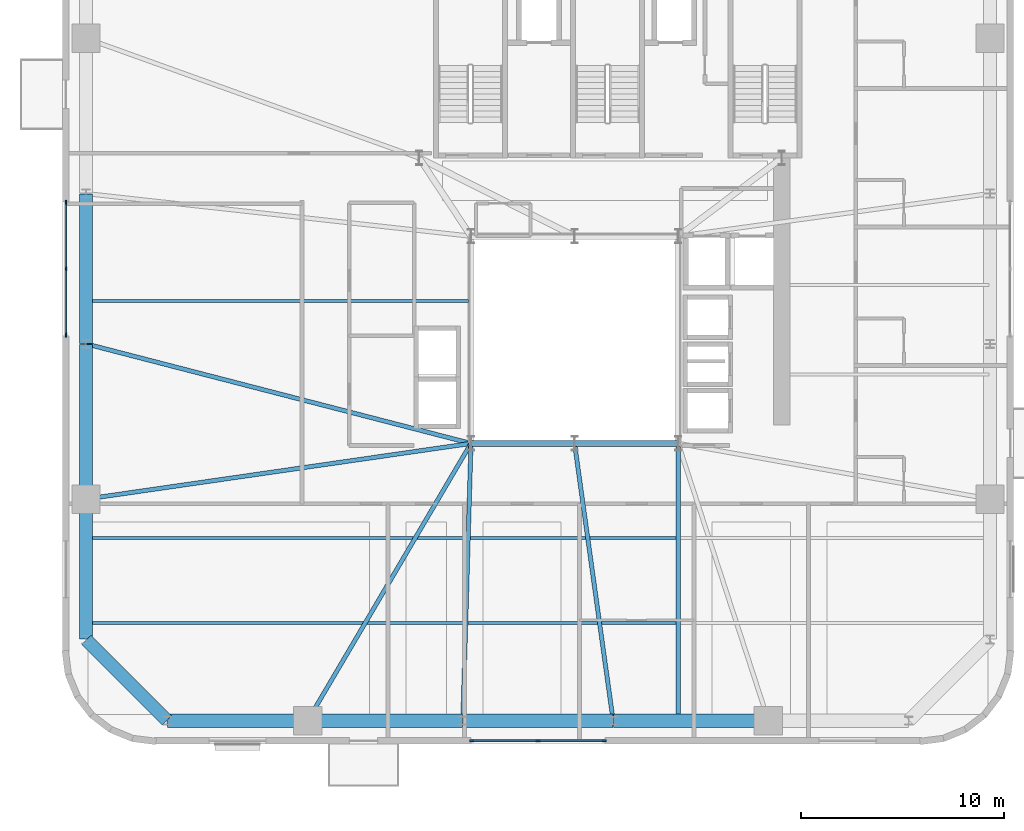
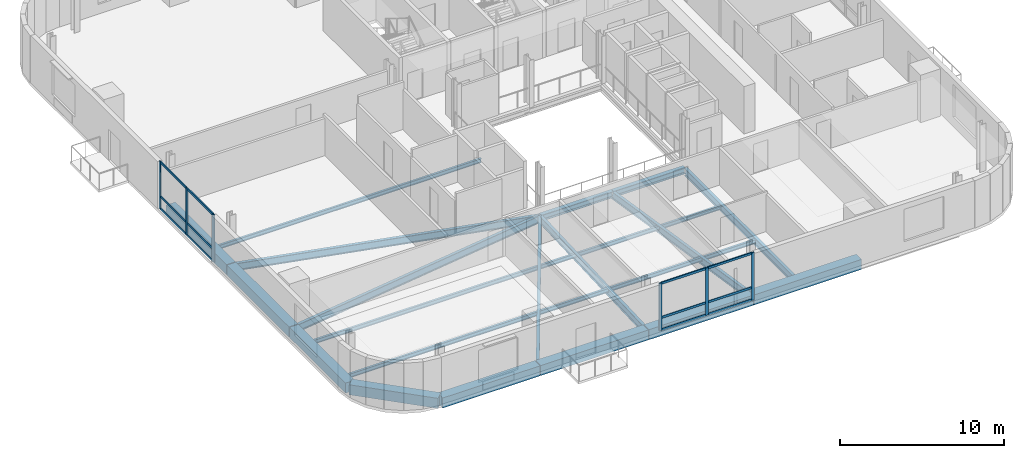
# One storey, part 3 of 16: 19 beams, 18 members, 2 elements without a shape of their own.
"""IFC4 building model written with IfcOpenShell, lengths in metres."""

from ifc_helpers import new_model, si_unit, direction, frame, origin, origin_2d, place, context, subcontext, project, spatial, rectangle, i_section, extrude, source, transform, mapped, material, material_profile, profile_set, type_object, element, aggregate, save


model = new_model("IFC4")

# Units and contexts
model_context = context("Model", 3, precision=1e-05, world=origin(), true_north=direction((0.0, 1.0)))
body_context = subcontext(model_context, "Body", "Model", "MODEL_VIEW")
ifc_project = project(units=[si_unit("LENGTHUNIT", "METRE"), si_unit("AREAUNIT", "SQUARE_METRE"), si_unit("VOLUMEUNIT", "CUBIC_METRE"), si_unit("PLANEANGLEUNIT", "RADIAN"), si_unit("MASSUNIT", "GRAM", prefix="KILO")], contexts=[model_context])

# Site, building, storey
site_placement = place(None, origin())
site = spatial("IfcSite", under=ifc_project, at=site_placement, CompositionType="ELEMENT")
building_placement = place(site_placement, origin())
building = spatial("IfcBuilding", under=site, at=building_placement, Name="Vardaveli Station Tower", CompositionType="ELEMENT")
storey_placement = place(building_placement, frame((0.0, 0.0, 226.050048828125)))
storey = spatial("IfcBuildingStorey", under=building, at=storey_placement, Name="L58", CompositionType="ELEMENT", Elevation=226.050048828125)

# Beams
ifc_material_1 = material(Name="Structural steel S355J2", Category="steel")
ifc_material_profile_1 = material_profile(ifc_material_1, i_section(OverallWidth=0.300048828125, OverallDepth=0.449951171875, WebThickness=0.013916015625, FlangeThickness=0.02587890625, FilletRadius=0.027099609375, at=origin_2d()), Name="HEB 450")
ifc_profile_set_1 = profile_set([ifc_material_profile_1], Name="Structural steel S355J2")
beam_type_1 = type_object("IfcBeamType", Name="BM-HEB450", PredefinedType="BEAM", material=ifc_profile_set_1)
shared_shape_1 = source(origin(), body_context, "Body", "SweptSolid", [
    extrude(i_section(OverallWidth=0.300048828125, OverallDepth=0.449951171875, WebThickness=0.013916015625, FlangeThickness=0.02587890625, FilletRadius=0.027099609375, at=origin_2d()), origin(), (0.0, 0.0, 1.0), 5.06005859375),
])
beam_1_placement = place(storey_placement, frame((31.219970703125, 16.60009765625, -0.445068359375), z_axis=(1.0, 0.0, 0.0), x_axis=(0.0, 1.0, 0.0)))
element("IfcBeam", 1, at=beam_1_placement, inside=storey, type_object=beam_type_1, Name="ABM-L58-01", PredefinedType="BEAM", context=body_context, shape_type="MappedRepresentation", body=[
    mapped(shared_shape_1, transform((0.0, 0.0, 0.0), scale=1.0)),
])
shared_shape_2 = source(origin(), body_context, "Body", "SweptSolid", [
    extrude(i_section(OverallWidth=0.300048828125, OverallDepth=0.449951171875, WebThickness=0.013916015625, FlangeThickness=0.02587890625, FilletRadius=0.027099609375, at=origin_2d()), origin(), (0.0, 0.0, 1.0), 5.059814453125),
])
beam_2_placement = place(storey_placement, frame((36.320068359375, 16.60009765625, -0.445068359375), z_axis=(1.0, 0.0, 0.0), x_axis=(0.0, 1.0, 0.0)))
element("IfcBeam", 2, at=beam_2_placement, inside=storey, type_object=beam_type_1, Name="ABM-L58-02", PredefinedType="BEAM", context=body_context, shape_type="MappedRepresentation", body=[
    mapped(shared_shape_2, transform((0.0, 0.0, 0.0), scale=1.0)),
])
ifc_material_2 = material(Name="Precast concrete C45/55", Category="concrete")
ifc_material_profile_2 = material_profile(ifc_material_2, rectangle(XDim=0.64990234375, YDim=0.75, at=origin_2d()), Name="LPB 650x750")
ifc_profile_set_2 = profile_set([ifc_material_profile_2], Name="Precast concrete C45/55")
beam_type_2 = type_object("IfcBeamType", Name="BM-LPB-750", PredefinedType="BEAM", material=ifc_profile_set_2)
shared_shape_3 = source(origin(), body_context, "Body", "SweptSolid", [
    extrude(rectangle(XDim=0.64990234375, YDim=0.75, at=origin_2d()), origin(), (0.0, 0.0, 1.0), 7.60009765625),
])
for number, where, z_axis, x_axis, name in (
    (3, (23.179931640625, 2.949951171875, -0.594970703125), (1.0, 0.0, 0.0), (0.0, 1.0, 0.0), "RBM-L58-01"),
    (4, (38.219970703125, 2.949951171875, -0.594970703125), (1.0, 0.0, 0.0), (0.0, 1.0, 0.0), "RBM-L58-03"),
    (5, (12.25, 21.47998046875, -0.594970703125), (0.0, -1.0, 0.0), (1.0, 0.0, 0.0), "RBM-L58-21"),
):
    element("IfcBeam", number, at=place(storey_placement, frame(where, z_axis=z_axis, x_axis=x_axis)), inside=storey, type_object=beam_type_2, Name=name, PredefinedType="BEAM", context=body_context, shape_type="MappedRepresentation", body=[
        mapped(shared_shape_3, transform((0.0, 0.0, 0.0), scale=1.0)),
    ])
shared_shape_4 = source(origin(), body_context, "Body", "SweptSolid", [
    extrude(rectangle(XDim=0.64990234375, YDim=0.75, at=origin_2d()), origin(), (0.0, 0.0, 1.0), 7.35986328125),
])
for number, where, z_axis, x_axis, name in (
    (6, (30.820068359375, 2.949951171875, -0.594970703125), (1.0, 0.0, 0.0), (0.0, 1.0, 0.0), "RBM-L58-02"),
    (7, (12.25, 28.8798828125, -0.594970703125), (0.0, -1.0, 0.0), (1.0, 0.0, 0.0), "RBM-L58-20"),
):
    element("IfcBeam", number, at=place(storey_placement, frame(where, z_axis=z_axis, x_axis=x_axis)), inside=storey, type_object=beam_type_2, Name=name, PredefinedType="BEAM", context=body_context, shape_type="MappedRepresentation", body=[
        mapped(shared_shape_4, transform((0.0, 0.0, 0.0), scale=1.0)),
    ])
shared_shape_5 = source(origin(), body_context, "Body", "SweptSolid", [
    extrude(rectangle(XDim=0.64990234375, YDim=0.75, at=origin_2d()), origin(), (0.0, 0.0, 1.0), 6.869873046875),
])
beam_3_placement = place(storey_placement, frame((16.27001953125, 2.949951171875, -0.594970703125), z_axis=(1.0, 0.0, 0.0), x_axis=(0.0, 1.0, 0.0)))
element("IfcBeam", 8, at=beam_3_placement, inside=storey, type_object=beam_type_2, Name="RBM-L58-24", PredefinedType="BEAM", context=body_context, shape_type="MappedRepresentation", body=[
    mapped(shared_shape_5, transform((0.0, 0.0, 0.0), scale=1.0)),
])
shared_shape_6 = source(origin(), body_context, "Body", "SweptSolid", [
    extrude(rectangle(XDim=0.64990234375, YDim=0.75, at=origin_2d()), origin(), (0.0, 0.0, 1.0), 5.61669921875),
])
beam_4_placement = place(storey_placement, frame((12.26416015625, 6.935791015625, -0.594970703125), z_axis=(0.707106781187, -0.707106781187, 0.0), x_axis=(0.707106781187, 0.707106781187, 0.0)))
element("IfcBeam", 9, at=beam_4_placement, inside=storey, type_object=beam_type_2, Name="RBM-L58-23", PredefinedType="BEAM", context=body_context, shape_type="MappedRepresentation", body=[
    mapped(shared_shape_6, transform((0.0, 0.0, 0.0), scale=1.0)),
])
shared_shape_7 = source(origin(), body_context, "Body", "SweptSolid", [
    extrude(rectangle(XDim=0.64990234375, YDim=0.75, at=origin_2d()), origin(), (0.0, 0.0, 1.0), 6.8701171875),
])
beam_5_placement = place(storey_placement, frame((12.25, 13.840087890625, -0.594970703125), z_axis=(0.0, -1.0, 0.0), x_axis=(1.0, 0.0, 0.0)))
element("IfcBeam", 10, at=beam_5_placement, inside=storey, type_object=beam_type_2, Name="RBM-L58-22", PredefinedType="BEAM", context=body_context, shape_type="MappedRepresentation", body=[
    mapped(shared_shape_7, transform((0.0, 0.0, 0.0), scale=1.0)),
])
ifc_material_profile_3 = material_profile(ifc_material_1, i_section(OverallWidth=0.2099609375, OverallDepth=0.550048828125, WebThickness=0.010986328125, FlangeThickness=0.01708984375, FilletRadius=0.02392578125, at=origin_2d()), Name="IPE 550")
ifc_profile_set_3 = profile_set([ifc_material_profile_3], Name="Structural steel S355J2")
beam_type_3 = type_object("IfcBeamType", Name="BM-IPE550", PredefinedType="BEAM", material=ifc_profile_set_3)
shared_shape_8 = source(origin(), body_context, "Body", "SweptSolid", [
    extrude(i_section(OverallWidth=0.2099609375, OverallDepth=0.550048828125, WebThickness=0.010986328125, FlangeThickness=0.01708984375, FilletRadius=0.02392578125, at=origin_2d()), origin(), (0.0, 0.0, 1.0), 13.469970703125),
])
beam_6_placement = place(storey_placement, frame((41.39990234375, 2.989990234375, -0.4951171875), z_axis=(0.0, 1.0, 0.0), x_axis=(-1.0, 0.0, 0.0)))
element("IfcBeam", 11, at=beam_6_placement, inside=storey, type_object=beam_type_3, Name="NSM-L58-S2", PredefinedType="BEAM", context=body_context, shape_type="MappedRepresentation", body=[
    mapped(shared_shape_8, transform((0.0, 0.0, 0.0), scale=1.0)),
])
shared_shape_9 = source(origin(), body_context, "Body", "SweptSolid", [
    extrude(i_section(OverallWidth=0.2099609375, OverallDepth=0.550048828125, WebThickness=0.010986328125, FlangeThickness=0.01708984375, FilletRadius=0.02392578125, at=origin_2d()), origin(), (0.0, 0.0, 1.0), 15.8017578125),
])
beam_7_placement = place(storey_placement, frame((23.170166015625, 2.96728515625, -0.4951171875), z_axis=(0.507521713546, 0.86163896748, 0.0), x_axis=(-0.86163896748, 0.507521713546, 0.0)))
element("IfcBeam", 12, at=beam_7_placement, inside=storey, type_object=beam_type_3, Name="GBM-L58-01", PredefinedType="BEAM", context=body_context, shape_type="MappedRepresentation", body=[
    mapped(shared_shape_9, transform((0.0, 0.0, 0.0), scale=1.0)),
])
shared_shape_10 = source(origin(), body_context, "Body", "SweptSolid", [
    extrude(i_section(OverallWidth=0.2099609375, OverallDepth=0.550048828125, WebThickness=0.010986328125, FlangeThickness=0.01708984375, FilletRadius=0.02392578125, at=origin_2d()), origin(), (0.0, 0.0, 1.0), 13.615966796875),
])
beam_8_placement = place(storey_placement, frame((30.800537109375, 2.969970703125, -0.4951171875), z_axis=(0.029298411379, 0.9995707094, 0.0), x_axis=(-0.9995707094, 0.029298411379, 0.0)))
element("IfcBeam", 13, at=beam_8_placement, inside=storey, type_object=beam_type_3, Name="GBM-L58-02", PredefinedType="BEAM", context=body_context, shape_type="MappedRepresentation", body=[
    mapped(shared_shape_10, transform((0.0, 0.0, 0.0), scale=1.0)),
])
shared_shape_11 = source(origin(), body_context, "Body", "SweptSolid", [
    extrude(i_section(OverallWidth=0.2099609375, OverallDepth=0.550048828125, WebThickness=0.010986328125, FlangeThickness=0.01708984375, FilletRadius=0.02392578125, at=origin_2d()), origin(), (0.0, 0.0, 1.0), 13.741455078125),
])
beam_9_placement = place(storey_placement, frame((38.197265625, 2.9697265625, -0.4951171875), z_axis=(-0.137868554024, 0.990450534762, 0.0), x_axis=(-0.990450534762, -0.137868554024, 0.0)))
element("IfcBeam", 14, at=beam_9_placement, inside=storey, type_object=beam_type_3, Name="GBM-L58-03", PredefinedType="BEAM", context=body_context, shape_type="MappedRepresentation", body=[
    mapped(shared_shape_11, transform((0.0, 0.0, 0.0), scale=1.0)),
])
shared_shape_12 = source(origin(), body_context, "Body", "SweptSolid", [
    extrude(i_section(OverallWidth=0.2099609375, OverallDepth=0.550048828125, WebThickness=0.010986328125, FlangeThickness=0.01708984375, FilletRadius=0.02392578125, at=origin_2d()), origin(), (0.0, 0.0, 1.0), 19.533447265625),
])
beam_10_placement = place(storey_placement, frame((12.269287109375, 21.494873046875, -0.4951171875), z_axis=(0.968159081778, -0.250335759272, 0.0), x_axis=(0.250335759272, 0.968159081778, 0.0)))
element("IfcBeam", 15, at=beam_10_placement, inside=storey, type_object=beam_type_3, Name="GBM-L58-09", PredefinedType="BEAM", context=body_context, shape_type="MappedRepresentation", body=[
    mapped(shared_shape_12, transform((0.0, 0.0, 0.0), scale=1.0)),
])
shared_shape_13 = source(origin(), body_context, "Body", "SweptSolid", [
    extrude(i_section(OverallWidth=0.2099609375, OverallDepth=0.550048828125, WebThickness=0.010986328125, FlangeThickness=0.01708984375, FilletRadius=0.02392578125, at=origin_2d()), origin(), (0.0, 0.0, 1.0), 19.107177734375),
])
beam_11_placement = place(storey_placement, frame((12.269775390625, 13.86279296875, -0.4951171875), z_axis=(0.989707072711, 0.143108036903, 0.0), x_axis=(-0.143108036903, 0.989707072711, 0.0)))
element("IfcBeam", 16, at=beam_11_placement, inside=storey, type_object=beam_type_3, Name="GBM-L58-10", PredefinedType="BEAM", context=body_context, shape_type="MappedRepresentation", body=[
    mapped(shared_shape_13, transform((0.0, 0.0, 0.0), scale=1.0)),
])
ifc_material_profile_4 = material_profile(ifc_material_1, i_section(OverallWidth=0.14990234375, OverallDepth=0.300048828125, WebThickness=0.007080078125, FlangeThickness=0.0107421875, FilletRadius=0.014892578125, at=origin_2d()), Name="IPE 300")
ifc_profile_set_4 = profile_set([ifc_material_profile_4], Name="Structural steel S355J2")
beam_type_4 = type_object("IfcBeamType", Name="BM-IPE300", PredefinedType="JOIST", material=ifc_profile_set_4)
shared_shape_14 = source(origin(), body_context, "Body", "SweptSolid", [
    extrude(i_section(OverallWidth=0.14990234375, OverallDepth=0.300048828125, WebThickness=0.007080078125, FlangeThickness=0.0107421875, FilletRadius=0.014892578125, at=origin_2d()), origin(), (0.0, 0.0, 1.0), 28.998046875),
])
for number, where, z_axis, x_axis, name in (
    (17, (12.2900390625, 7.75, -0.3701171875), (1.0, 0.0, 0.0), (0.0, 1.0, 0.0), "SJ-L58-S01"),
    (18, (12.2900390625, 11.949951171875, -0.3701171875), (1.0, 0.0, 0.0), (0.0, 1.0, 0.0), "SJ-L58-S03"),
):
    element("IfcBeam", number, at=place(storey_placement, frame(where, z_axis=z_axis, x_axis=x_axis)), inside=storey, type_object=beam_type_4, Name=name, PredefinedType="JOIST", context=body_context, shape_type="MappedRepresentation", body=[
        mapped(shared_shape_14, transform((0.0, 0.0, 0.0), scale=1.0)),
    ])
shared_shape_15 = source(origin(), body_context, "Body", "SweptSolid", [
    extrude(i_section(OverallWidth=0.14990234375, OverallDepth=0.300048828125, WebThickness=0.007080078125, FlangeThickness=0.0107421875, FilletRadius=0.014892578125, at=origin_2d()), origin(), (0.0, 0.0, 1.0), 18.7978515625),
])
beam_12_placement = place(storey_placement, frame((12.2900390625, 23.60009765625, -0.3701171875), z_axis=(1.0, 0.0, 0.0), x_axis=(0.0, 1.0, 0.0)))
element("IfcBeam", 19, at=beam_12_placement, inside=storey, type_object=beam_type_4, Name="SJ-L58-W06", PredefinedType="JOIST", context=body_context, shape_type="MappedRepresentation", body=[
    mapped(shared_shape_15, transform((0.0, 0.0, 0.0), scale=1.0)),
])

# Curtain wall, members
ifc_material_3 = material(Name="Travertine stone and solar-control glass", Category="masonry")
curtain_wall_type = type_object("IfcCurtainWallType", Name="CW-SYS-5", PredefinedType="NOTDEFINED", material=ifc_material_3)
curtain_wall_1_placement = place(storey_placement, origin())
curtain_wall_1 = element("IfcCurtainWall", 20, at=curtain_wall_1_placement, inside=storey, type_object=curtain_wall_type, Name="CW-L58-S", PredefinedType="NOTDEFINED")
ifc_material_4 = material(Name="Anodised aluminium alloy 6063-T6", Category="aluminium")
ifc_material_profile_5 = material_profile(ifc_material_4, rectangle(XDim=0.080078125, YDim=0.1650390625, at=origin_2d()), Name="CWT 80x165")
ifc_profile_set_5 = profile_set([ifc_material_profile_5], Name="Anodised aluminium alloy 6063-T6")
member_type_1 = type_object("IfcMemberType", Name="CW-SYS-5-TRAN", PredefinedType="NOTDEFINED", material=ifc_profile_set_5)
shared_shape_16 = source(origin(), body_context, "Body", "SweptSolid", [
    extrude(rectangle(XDim=0.080078125, YDim=0.1650390625, at=origin_2d()), origin(), (0.0, 0.0, 1.0), 3.179931640625),
])
member_1_placement = place(storey_placement, frame((31.280029296875, 1.9599609375, 0.0400390625), z_axis=(1.0, 0.0, 0.0), x_axis=(0.0, 1.0, 0.0)))
member_1 = element("IfcMember", 21, at=member_1_placement, type_object=member_type_1, Name="CW-5 transom 1.1", ObjectType="TRANSOM", PredefinedType="USERDEFINED", context=body_context, shape_type="MappedRepresentation", body=[
    mapped(shared_shape_16, transform((0.0, 0.0, 0.0), scale=1.0)),
])
member_2_placement = place(storey_placement, frame((31.280029296875, 1.9599609375, 0.949951171875), z_axis=(1.0, 0.0, 0.0), x_axis=(0.0, 1.0, 0.0)))
member_2 = element("IfcMember", 22, at=member_2_placement, type_object=member_type_1, Name="CW-5 transom 1.2", ObjectType="TRANSOM", PredefinedType="USERDEFINED", context=body_context, shape_type="MappedRepresentation", body=[
    mapped(shared_shape_16, transform((0.0, 0.0, 0.0), scale=1.0)),
])
member_3_placement = place(storey_placement, frame((31.280029296875, 1.9599609375, 3.489990234375), z_axis=(1.0, 0.0, 0.0), x_axis=(0.0, 1.0, 0.0)))
member_3 = element("IfcMember", 23, at=member_3_placement, type_object=member_type_1, Name="CW-5 transom 1.3", ObjectType="TRANSOM", PredefinedType="USERDEFINED", context=body_context, shape_type="MappedRepresentation", body=[
    mapped(shared_shape_16, transform((0.0, 0.0, 0.0), scale=1.0)),
])
member_4_placement = place(storey_placement, frame((34.5400390625, 1.9599609375, 0.0400390625), z_axis=(1.0, 0.0, 0.0), x_axis=(0.0, 1.0, 0.0)))
member_4 = element("IfcMember", 24, at=member_4_placement, type_object=member_type_1, Name="CW-5 transom 2.1", ObjectType="TRANSOM", PredefinedType="USERDEFINED", context=body_context, shape_type="MappedRepresentation", body=[
    mapped(shared_shape_16, transform((0.0, 0.0, 0.0), scale=1.0)),
])
member_5_placement = place(storey_placement, frame((34.5400390625, 1.9599609375, 0.949951171875), z_axis=(1.0, 0.0, 0.0), x_axis=(0.0, 1.0, 0.0)))
member_5 = element("IfcMember", 25, at=member_5_placement, type_object=member_type_1, Name="CW-5 transom 2.2", ObjectType="TRANSOM", PredefinedType="USERDEFINED", context=body_context, shape_type="MappedRepresentation", body=[
    mapped(shared_shape_16, transform((0.0, 0.0, 0.0), scale=1.0)),
])
member_6_placement = place(storey_placement, frame((34.5400390625, 1.9599609375, 3.489990234375), z_axis=(1.0, 0.0, 0.0), x_axis=(0.0, 1.0, 0.0)))
member_6 = element("IfcMember", 26, at=member_6_placement, type_object=member_type_1, Name="CW-5 transom 2.3", ObjectType="TRANSOM", PredefinedType="USERDEFINED", context=body_context, shape_type="MappedRepresentation", body=[
    mapped(shared_shape_16, transform((0.0, 0.0, 0.0), scale=1.0)),
])

curtain_wall_2_placement = place(storey_placement, origin())
curtain_wall_2 = element("IfcCurtainWall", 27, at=curtain_wall_2_placement, inside=storey, type_object=curtain_wall_type, Name="CW-L58-W", PredefinedType="NOTDEFINED")
member_7_placement = place(storey_placement, frame((11.260009765625, 28.419921875, 0.0400390625), z_axis=(0.0, -1.0, 0.0), x_axis=(1.0, 0.0, 0.0)))
member_7 = element("IfcMember", 28, at=member_7_placement, type_object=member_type_1, Name="CW-5 transom 1.1", ObjectType="TRANSOM", PredefinedType="USERDEFINED", context=body_context, shape_type="MappedRepresentation", body=[
    mapped(shared_shape_16, transform((0.0, 0.0, 0.0), scale=1.0)),
])
member_8_placement = place(storey_placement, frame((11.260009765625, 28.419921875, 0.949951171875), z_axis=(0.0, -1.0, 0.0), x_axis=(1.0, 0.0, 0.0)))
member_8 = element("IfcMember", 29, at=member_8_placement, type_object=member_type_1, Name="CW-5 transom 1.2", ObjectType="TRANSOM", PredefinedType="USERDEFINED", context=body_context, shape_type="MappedRepresentation", body=[
    mapped(shared_shape_16, transform((0.0, 0.0, 0.0), scale=1.0)),
])
member_9_placement = place(storey_placement, frame((11.260009765625, 28.419921875, 3.489990234375), z_axis=(0.0, -1.0, 0.0), x_axis=(1.0, 0.0, 0.0)))
member_9 = element("IfcMember", 30, at=member_9_placement, type_object=member_type_1, Name="CW-5 transom 1.3", ObjectType="TRANSOM", PredefinedType="USERDEFINED", context=body_context, shape_type="MappedRepresentation", body=[
    mapped(shared_shape_16, transform((0.0, 0.0, 0.0), scale=1.0)),
])
member_10_placement = place(storey_placement, frame((11.260009765625, 25.159912109375, 0.0400390625), z_axis=(0.0, -1.0, 0.0), x_axis=(1.0, 0.0, 0.0)))
member_10 = element("IfcMember", 31, at=member_10_placement, type_object=member_type_1, Name="CW-5 transom 2.1", ObjectType="TRANSOM", PredefinedType="USERDEFINED", context=body_context, shape_type="MappedRepresentation", body=[
    mapped(shared_shape_16, transform((0.0, 0.0, 0.0), scale=1.0)),
])
member_11_placement = place(storey_placement, frame((11.260009765625, 25.159912109375, 0.949951171875), z_axis=(0.0, -1.0, 0.0), x_axis=(1.0, 0.0, 0.0)))
member_11 = element("IfcMember", 32, at=member_11_placement, type_object=member_type_1, Name="CW-5 transom 2.2", ObjectType="TRANSOM", PredefinedType="USERDEFINED", context=body_context, shape_type="MappedRepresentation", body=[
    mapped(shared_shape_16, transform((0.0, 0.0, 0.0), scale=1.0)),
])
member_12_placement = place(storey_placement, frame((11.260009765625, 25.159912109375, 3.489990234375), z_axis=(0.0, -1.0, 0.0), x_axis=(1.0, 0.0, 0.0)))
member_12 = element("IfcMember", 33, at=member_12_placement, type_object=member_type_1, Name="CW-5 transom 2.3", ObjectType="TRANSOM", PredefinedType="USERDEFINED", context=body_context, shape_type="MappedRepresentation", body=[
    mapped(shared_shape_16, transform((0.0, 0.0, 0.0), scale=1.0)),
])

# Member
ifc_material_profile_6 = material_profile(ifc_material_4, rectangle(XDim=0.080078125, YDim=0.205078125, at=origin_2d()), Name="CWM 80x205")
ifc_profile_set_6 = profile_set([ifc_material_profile_6], Name="Anodised aluminium alloy 6063-T6")
member_type_2 = type_object("IfcMemberType", Name="CW-SYS-5-MULL", PredefinedType="MULLION", material=ifc_profile_set_6)
shared_shape_17 = source(origin(), body_context, "Body", "SweptSolid", [
    extrude(rectangle(XDim=0.080078125, YDim=0.205078125, at=origin_2d()), origin(), (0.0, 0.0, 1.0), 3.530029296875),
])
member_13_placement = place(storey_placement, frame((31.239990234375, 1.9599609375, 0.0), z_axis=(0.0, 0.0, 1.0), x_axis=(0.0, 1.0, 0.0)))
member_13 = element("IfcMember", 34, at=member_13_placement, type_object=member_type_2, Name="CW-5 mullion 1", PredefinedType="MULLION", context=body_context, shape_type="MappedRepresentation", body=[
    mapped(shared_shape_17, transform((0.0, 0.0, 0.0), scale=1.0)),
])

member_14_placement = place(storey_placement, frame((34.5, 1.9599609375, 0.0), z_axis=(0.0, 0.0, 1.0), x_axis=(0.0, 1.0, 0.0)))
member_14 = element("IfcMember", 35, at=member_14_placement, type_object=member_type_2, Name="CW-5 mullion 2", PredefinedType="MULLION", context=body_context, shape_type="MappedRepresentation", body=[
    mapped(shared_shape_17, transform((0.0, 0.0, 0.0), scale=1.0)),
])

member_15_placement = place(storey_placement, frame((37.760009765625, 1.9599609375, 0.0), z_axis=(0.0, 0.0, 1.0), x_axis=(0.0, 1.0, 0.0)))
member_15 = element("IfcMember", 36, at=member_15_placement, type_object=member_type_2, Name="CW-5 mullion 3", PredefinedType="MULLION", context=body_context, shape_type="MappedRepresentation", body=[
    mapped(shared_shape_17, transform((0.0, 0.0, 0.0), scale=1.0)),
])

aggregate(curtain_wall_1, [member_13, member_14, member_15, member_1, member_2, member_3, member_4, member_5, member_6])

member_16_placement = place(storey_placement, frame((11.260009765625, 28.4599609375, 0.0), z_axis=(0.0, 0.0, 1.0), x_axis=(1.0, 0.0, 0.0)))
member_16 = element("IfcMember", 37, at=member_16_placement, type_object=member_type_2, Name="CW-5 mullion 1", PredefinedType="MULLION", context=body_context, shape_type="MappedRepresentation", body=[
    mapped(shared_shape_17, transform((0.0, 0.0, 0.0), scale=1.0)),
])

member_17_placement = place(storey_placement, frame((11.260009765625, 25.199951171875, 0.0), z_axis=(0.0, 0.0, 1.0), x_axis=(1.0, 0.0, 0.0)))
member_17 = element("IfcMember", 38, at=member_17_placement, type_object=member_type_2, Name="CW-5 mullion 2", PredefinedType="MULLION", context=body_context, shape_type="MappedRepresentation", body=[
    mapped(shared_shape_17, transform((0.0, 0.0, 0.0), scale=1.0)),
])

member_18_placement = place(storey_placement, frame((11.260009765625, 21.93994140625, 0.0), z_axis=(0.0, 0.0, 1.0), x_axis=(1.0, 0.0, 0.0)))
member_18 = element("IfcMember", 39, at=member_18_placement, type_object=member_type_2, Name="CW-5 mullion 3", PredefinedType="MULLION", context=body_context, shape_type="MappedRepresentation", body=[
    mapped(shared_shape_17, transform((0.0, 0.0, 0.0), scale=1.0)),
])

aggregate(curtain_wall_2, [member_16, member_17, member_18, member_7, member_8, member_9, member_10, member_11, member_12])

save(model, "model.ifc")
